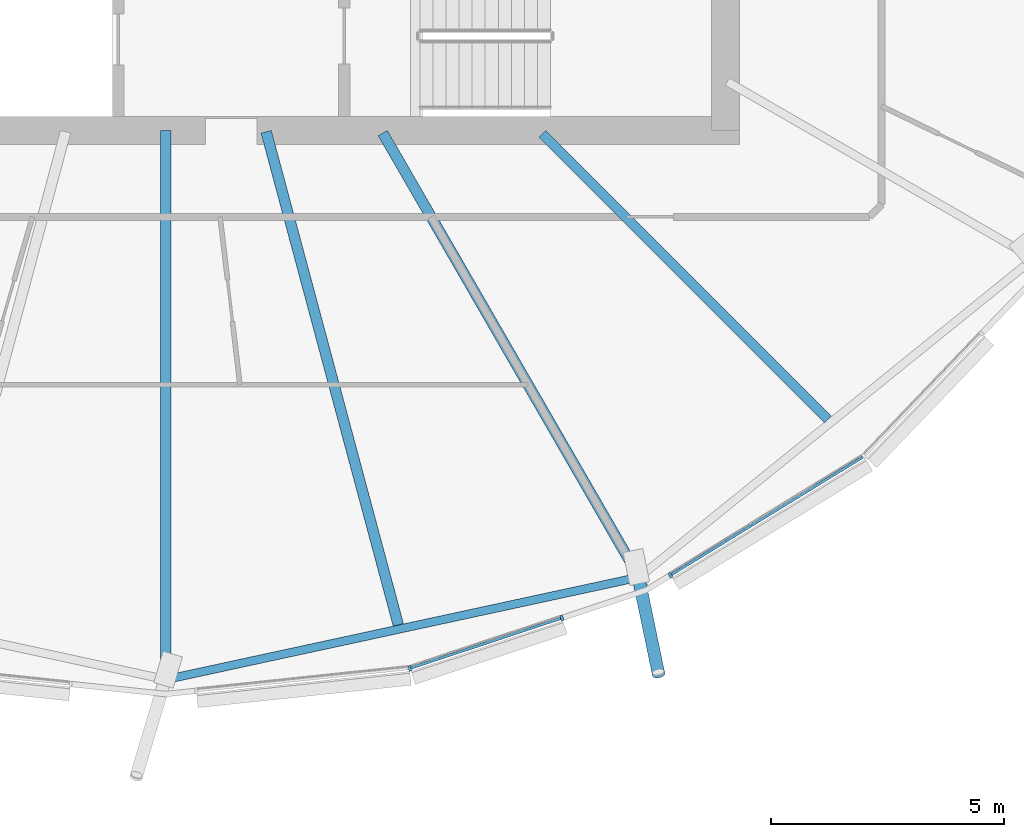
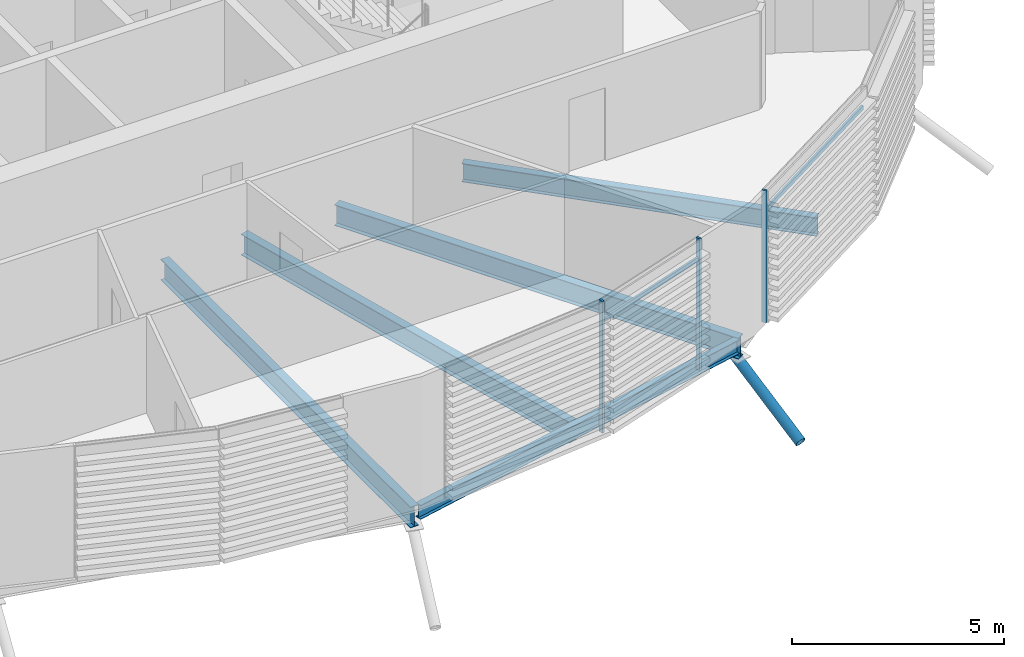
# One storey, part 4 of 37: 6 members, 5 beams, 1 element without a shape of its own.
"""IFC4 building model written with IfcOpenShell, lengths in metres."""

import ifcopenshell
import ifcopenshell.guid

model = None  # the IFC model being written
_history = None  # IfcOwnerHistory: only IFC2X3 demands one
_inside = {}  # id of a spatial element -> (the spatial element, [elements in it])
_under = {}  # id of a project, library or spatial element -> (it, [spatial elements below it])
_declared = {}  # id of a project -> (the project, [libraries it declares])
_typed = {}  # id of a type object -> (the type object, [elements of that type])
_made_of = {}  # id of a material, layer set ... -> (it, [elements and type objects made of it])


def new_model(schema):
    """Start an empty IFC model of exactly this schema.

    Asked for "IFC4X3", IfcOpenShell would pick the latest addendum, in which some entities
    have other attributes; the version numbers below select the first issue.
    IFC2X3 requires an IfcOwnerHistory on every rooted entity: one is made here for all.
    """
    global model, _history
    if schema == "IFC4X3":
        model = ifcopenshell.file(schema_version=(4, 3, 0, 0))
    else:
        model = ifcopenshell.file(schema=schema)
    _inside.clear()
    _under.clear()
    _declared.clear()
    _typed.clear()
    _made_of.clear()
    _history = None
    if model.schema == "IFC2X3":
        org = make("IfcOrganization", Name="unknown")
        user = make(
            "IfcPersonAndOrganization",
            ThePerson=make("IfcPerson", FamilyName="unknown"),
            TheOrganization=org,
        )
        app = make(
            "IfcApplication",
            ApplicationDeveloper=org,
            Version="unknown",
            ApplicationFullName="unknown",
            ApplicationIdentifier="unknown",
        )
        _history = make(
            "IfcOwnerHistory",
            OwningUser=user,
            OwningApplication=app,
            ChangeAction="ADDED",
            CreationDate=0,
        )
    return model


def make(cls, **values):
    """One entity of the class cls with the attributes given. An attribute that is None is left unset."""
    return model.create_entity(
        cls, **{name: value for name, value in values.items() if value is not None}
    )


def rooted(cls, **values):
    """An entity with a GlobalId (a new one), such as an element, a storey or a relation."""
    return make(cls, GlobalId=ifcopenshell.guid.new(), OwnerHistory=_history, **values)


def si_unit(unit_type, name, prefix=None):
    """IfcSIUnit, for example si_unit("LENGTHUNIT", "METRE", prefix="MILLI")."""
    return make("IfcSIUnit", UnitType=unit_type, Prefix=prefix, Name=name)


def assignment(units):
    """IfcUnitAssignment: the units of a project."""
    return None if units is None else make("IfcUnitAssignment", Units=units)


def point(xyz):
    """IfcCartesianPoint."""
    return None if xyz is None else make("IfcCartesianPoint", Coordinates=xyz)


def direction(xyz):
    """IfcDirection."""
    return None if xyz is None else make("IfcDirection", DirectionRatios=xyz)


def frame(location, z_axis=None, x_axis=None):
    """IfcAxis2Placement3D, a coordinate frame: its origin and axes. An axis left out is left unset."""
    return make(
        "IfcAxis2Placement3D",
        Location=point(location),
        Axis=direction(z_axis),
        RefDirection=direction(x_axis),
    )


def frame_2d(location, x_axis=None):
    """IfcAxis2Placement2D, a coordinate frame in the plane: its origin and x axis."""
    return make(
        "IfcAxis2Placement2D", Location=point(location), RefDirection=direction(x_axis)
    )


def origin():
    """The frame at (0, 0, 0) with its axes left unset."""
    return frame((0.0, 0.0, 0.0))


def origin_2d():
    """The frame at (0, 0) in the plane with its x axis left unset."""
    return frame_2d((0.0, 0.0))


def place(relative_to, where):
    """IfcLocalPlacement: puts the frame where relative to a parent placement (None: the world)."""
    return make(
        "IfcLocalPlacement", PlacementRelTo=relative_to, RelativePlacement=where
    )


def context(
    kind, dimensions, precision=None, world=None, true_north=None, identifier=None
):
    """IfcGeometricRepresentationContext, for example the 3D "Model" context."""
    return make(
        "IfcGeometricRepresentationContext",
        ContextIdentifier=identifier,
        ContextType=kind,
        CoordinateSpaceDimension=dimensions,
        Precision=precision,
        WorldCoordinateSystem=world,
        TrueNorth=true_north,
    )


def subcontext(parent, identifier, kind, view, scale=None):
    """IfcGeometricRepresentationSubContext, for example "Body" below "Model"."""
    return make(
        "IfcGeometricRepresentationSubContext",
        ContextIdentifier=identifier,
        ContextType=kind,
        ParentContext=parent,
        TargetScale=scale,
        TargetView=view,
    )


def project(units=None, contexts=None):
    """IfcProject with its units and contexts."""
    return rooted(
        "IfcProject",
        Name="project",
        RepresentationContexts=contexts,
        UnitsInContext=assignment(units),
    )


def spatial(cls, under=None, at=None, **own):
    """A site, building, storey or space (cls), placed at a placement, below another one or the project."""
    s = rooted(cls, ObjectPlacement=at, **own)
    if under is not None:
        _under.setdefault(under.id(), (under, []))[1].append(s)
    return s


def profile(cls, at=None, kind="AREA", **sizes):
    """A parametric profile (cls). Its sizes go by their IFC names, for example OverallWidth=200.0."""
    return make(cls, ProfileType=kind, Position=at, **sizes)


def rectangle(**sizes):
    """IfcRectangleProfileDef."""
    return profile("IfcRectangleProfileDef", **sizes)


def hollow_circle(**sizes):
    """IfcCircleHollowProfileDef."""
    return profile("IfcCircleHollowProfileDef", **sizes)


def i_section(**sizes):
    """IfcIShapeProfileDef."""
    return profile("IfcIShapeProfileDef", **sizes)


def extrude(swept, where, along, depth):
    """IfcExtrudedAreaSolid: the profile swept, set in the frame where, extruded along a direction by depth."""
    return make(
        "IfcExtrudedAreaSolid",
        SweptArea=swept,
        Position=where,
        ExtrudedDirection=direction(along),
        Depth=depth,
    )


def clip(a, b, op="DIFFERENCE"):
    """IfcBooleanClippingResult: the solid a cut by the half space b."""
    return make(
        "IfcBooleanClippingResult", Operator=op, FirstOperand=a, SecondOperand=b
    )


def halfspace(plane, agree):
    """IfcHalfSpaceSolid: all space on one side of the plane z = 0 of the frame plane."""
    return make(
        "IfcHalfSpaceSolid",
        BaseSurface=make("IfcPlane", Position=plane),
        AgreementFlag=agree,
    )


def shape(context_of_items, identifier, shape_type, items):
    """IfcShapeRepresentation: the items that make up one representation, for example the "Body"."""
    return make(
        "IfcShapeRepresentation",
        ContextOfItems=context_of_items,
        RepresentationIdentifier=identifier,
        RepresentationType=shape_type,
        Items=items,
    )


def material(Name=None, Category=None):
    """IfcMaterial."""
    return make("IfcMaterial", Name=Name, Category=Category)


def material_profile(
    of_material, cross_section, Name=None, Category=None, Priority=None
):
    """IfcMaterialProfile: a cross section and its material."""
    return make(
        "IfcMaterialProfile",
        Name=Name,
        Material=of_material,
        Profile=cross_section,
        Priority=Priority,
        Category=Category,
    )


def profile_set(profiles, Name=None, composite=None):
    """IfcMaterialProfileSet."""
    return make(
        "IfcMaterialProfileSet",
        Name=Name,
        MaterialProfiles=profiles,
        CompositeProfile=composite,
    )


def made_of(thing, what):
    """Note that an element or type object is made of a material, layer set ...; save() writes the relation."""
    if what is not None:
        _made_of.setdefault(what.id(), (what, []))[1].append(thing)
    return thing


def type_object(cls, material=None, **own):
    """A type object (cls), such as IfcWallType, which elements share."""
    return made_of(rooted(cls, **own), material)


def element(
    cls,
    number,
    at=None,
    inside=None,
    cuts=None,
    type_object=None,
    material=None,
    context=None,
    identifier="Body",
    shape_type=None,
    held_by="IfcProductDefinitionShape",
    body=None,
    shapes=None,
    **own,
):
    """One element of the class cls, such as IfcWall. Its Tag is "e" and its number.

    at: its placement. inside: the storey or other place that contains it. cuts: it is an
    opening in that element (IfcRelVoidsElement). A single representation is given by context,
    identifier, shape_type and body (its items); several are given by shapes. held_by: the class
    of the entity that holds the representations. save() writes the other relations.
    """
    e = rooted(cls, Tag="e%d" % number, ObjectPlacement=at, **own)
    if body is not None:
        shapes = [shape(context, identifier, shape_type, body)]
    if shapes is not None:
        e.Representation = make(held_by, Representations=shapes)
    if inside is not None:
        _inside.setdefault(inside.id(), (inside, []))[1].append(e)
    if cuts is not None:
        rooted(
            "IfcRelVoidsElement", RelatingBuildingElement=cuts, RelatedOpeningElement=e
        )
    if type_object is not None:
        _typed.setdefault(type_object.id(), (type_object, []))[1].append(e)
    return made_of(e, material)


def aggregate(whole, parts):
    """IfcRelAggregates: a whole, such as a stair, and the parts it consists of."""
    return rooted("IfcRelAggregates", RelatingObject=whole, RelatedObjects=parts)


def save(model, path):
    """Write the relations noted so far, then the file.

    IfcRelAggregates (storeys below a building ...), IfcRelContainedInSpatialStructure (elements
    in a storey), IfcRelDefinesByType, IfcRelAssociatesMaterial and IfcRelDeclares: one each for
    every whole, place, type object, material and project.
    """
    for whole, parts in _under.values():
        aggregate(whole, parts)
    for where, things in _inside.values():
        rooted(
            "IfcRelContainedInSpatialStructure",
            RelatedElements=things,
            RelatingStructure=where,
        )
    for kind, things in _typed.values():
        rooted("IfcRelDefinesByType", RelatedObjects=things, RelatingType=kind)
    for what, things in _made_of.values():
        rooted("IfcRelAssociatesMaterial", RelatedObjects=things, RelatingMaterial=what)
    for by, libraries in _declared.values():
        rooted("IfcRelDeclares", RelatingContext=by, RelatedDefinitions=libraries)
    model.write(path)


model = new_model("IFC4")

# Units and contexts
model_context = context("Model", 3, precision=1e-05, world=origin(), true_north=direction((0.0, 1.0)))
body_context = subcontext(model_context, "Body", "Model", "MODEL_VIEW")
ifc_project = project(units=[si_unit("LENGTHUNIT", "METRE"), si_unit("AREAUNIT", "SQUARE_METRE"), si_unit("VOLUMEUNIT", "CUBIC_METRE"), si_unit("PLANEANGLEUNIT", "RADIAN"), si_unit("MASSUNIT", "GRAM", prefix="KILO")], contexts=[model_context])

# Site, building, storey
site_placement = place(None, origin())
site = spatial("IfcSite", under=ifc_project, at=site_placement, CompositionType="ELEMENT")
building_placement = place(site_placement, origin())
building = spatial("IfcBuilding", under=site, at=building_placement, Name="Rimbun Link Towers", CompositionType="ELEMENT")
storey_placement = place(building_placement, frame((0.0, 0.0, 162.699951171875)))
storey = spatial("IfcBuildingStorey", under=building, at=storey_placement, Name="L39", CompositionType="ELEMENT", Elevation=162.699951171875)

# Curtain wall, members
ifc_material_1 = material(Name="Aluminium 6063-T6 and low-iron glass", Category="aluminium")
curtain_wall_type = type_object("IfcCurtainWallType", Name="CW1-Z3 unitised vision wall (zone 3)", PredefinedType="NOTDEFINED", material=ifc_material_1)
curtain_wall_placement = place(storey_placement, origin())
curtain_wall = element("IfcCurtainWall", 1, at=curtain_wall_placement, inside=storey, type_object=curtain_wall_type, Name="CW1 L39 T1", PredefinedType="NOTDEFINED")
ifc_material_2 = material(Name="Aluminium 6063-T6", Category="aluminium")
ifc_material_profile_1 = material_profile(ifc_material_2, rectangle(XDim=0.1201171875, YDim=0.06005859375, at=origin_2d()), Name="MULLION 60X120")
ifc_profile_set_1 = profile_set([ifc_material_profile_1], Name="Aluminium 6063-T6")
member_type_1 = type_object("IfcMemberType", Name="CW1 mullion 60X120", PredefinedType="MULLION", material=ifc_profile_set_1)
member_1_placement = place(storey_placement, frame((-26.51708984375, -19.541015625, 0.0), z_axis=(0.0, 0.0, 1.0), x_axis=(0.210865888506, -0.977515000941, 0.0)))
member_1 = element("IfcMember", 2, at=member_1_placement, type_object=member_type_1, Name="CW1 mullion", PredefinedType="MULLION", context=body_context, shape_type="SweptSolid", body=[
    extrude(rectangle(XDim=0.1201171875, YDim=0.06005859375, at=origin_2d()), origin(), (0.0, 0.0, 1.0), 3.800048828125),
])
member_2_placement = place(storey_placement, frame((-23.254638671875, -18.460205078125, 0.0), z_axis=(0.0, 0.0, 1.0), x_axis=(0.314555722988, -0.949239009489, 0.0)))
member_2 = element("IfcMember", 3, at=member_2_placement, type_object=member_type_1, Name="CW1 mullion", PredefinedType="MULLION", context=body_context, shape_type="SweptSolid", body=[
    extrude(rectangle(XDim=0.1201171875, YDim=0.06005859375, at=origin_2d()), origin(), (0.0, 0.0, 1.0), 3.800048828125),
])
member_3_placement = place(storey_placement, frame((-20.92724609375, -17.542724609375, 0.0), z_axis=(0.0, 0.0, 1.0), x_axis=(0.523249760653, -0.85217937547, 0.0)))
member_3 = element("IfcMember", 4, at=member_3_placement, type_object=member_type_1, Name="CW1 mullion", PredefinedType="MULLION", context=body_context, shape_type="SweptSolid", body=[
    extrude(rectangle(XDim=0.1201171875, YDim=0.06005859375, at=origin_2d()), origin(), (0.0, 0.0, 1.0), 3.800048828125),
])
ifc_material_3 = material(Name="Aluminium 6063-T6", Category="aluminium")
ifc_material_profile_2 = material_profile(ifc_material_3, rectangle(XDim=0.06005859375, YDim=0.1201171875, at=origin_2d()), Name="TRANSOM 60X120")
ifc_profile_set_2 = profile_set([ifc_material_profile_2], Name="Aluminium 6063-T6")
member_type_2 = type_object("IfcMemberType", Name="CW1 transom 60X120", PredefinedType="USERDEFINED", material=ifc_profile_set_2)
member_4_placement = place(storey_placement, frame((-23.28369140625, -18.4677734375, 3.199951171875), z_axis=(-0.949246811547, -0.314532177636, 0.0), x_axis=(0.314532177636, -0.949246811547, 0.0)))
member_4 = element("IfcMember", 5, at=member_4_placement, type_object=member_type_2, Name="CW1 transom", ObjectType="TRANSOM", PredefinedType="USERDEFINED", context=body_context, shape_type="SweptSolid", body=[
    extrude(rectangle(XDim=0.06005859375, YDim=0.1201171875, at=origin_2d()), origin(), (0.0, 0.0, 1.0), 3.370361328125),
])
member_5_placement = place(storey_placement, frame((-16.802490234375, -15.0078125, 3.199951171875), z_axis=(-0.852173607466, -0.523259154471, 0.0), x_axis=(0.523259154471, -0.852173607466, 0.0)))
member_5 = element("IfcMember", 6, at=member_5_placement, type_object=member_type_2, Name="CW1 transom", ObjectType="TRANSOM", PredefinedType="USERDEFINED", context=body_context, shape_type="SweptSolid", body=[
    extrude(rectangle(XDim=0.06005859375, YDim=0.1201171875, at=origin_2d()), origin(), (0.0, 0.0, 1.0), 4.811279296875),
])
aggregate(curtain_wall, [member_1, member_2, member_3, member_4, member_5])

# Member
ifc_material_4 = material(Name="Steel S355J2H", Category="steel")
ifc_material_profile_3 = material_profile(ifc_material_4, hollow_circle(Radius=0.136474609375, WallThickness=0.012451171875, at=origin_2d()), Name="CHS 273x12.5")
ifc_profile_set_3 = profile_set([ifc_material_profile_3], Name="Steel S355J2H")
member_type_3 = type_object("IfcMemberType", Name="Floor edge link CHS 273x12.5", PredefinedType="BRACE", material=ifc_profile_set_3)
member_6_placement = place(storey_placement, frame((-21.62255859375, -17.541259765625, -0.871337890625), z_axis=(0.178131604454, -0.855991398862, -0.485332727692), x_axis=(0.979026054032, 0.203735086636, 0.0)))
element("IfcMember", 7, at=member_6_placement, inside=storey, type_object=member_type_3, Name="Floor edge link T1 L39 20", PredefinedType="BRACE", context=body_context, shape_type="Clipping", body=[
    clip(extrude(hollow_circle(Radius=0.136474609375, WallThickness=0.012451171875, at=origin_2d()), frame((0.0, 0.0, -0.512451171875)), (0.0, 0.0, 1.0), 3.005615234375), halfspace(frame((0.0, 0.0, -0.24072265625), z_axis=(0.0, 0.874329539379, -0.485332727692)), False)),
])

# Beams
ifc_material_5 = material(Name="Steel S355J2", Category="steel")
ifc_material_profile_4 = material_profile(ifc_material_5, i_section(OverallWidth=0.177978515625, OverallDepth=0.406494140625, WebThickness=0.0078125, FlangeThickness=0.0126953125, at=origin_2d()), Name="UB 406x178x60")
ifc_profile_set_4 = profile_set([ifc_material_profile_4], Name="Steel S355J2")
beam_type_1 = type_object("IfcBeamType", Name="UB 406x178x60", PredefinedType="BEAM", material=ifc_profile_set_4)
beam_1_placement = place(storey_placement, frame((-31.63525390625, -19.755859375, -0.353271484375), z_axis=(0.977395763905, 0.211417881693, 0.0), x_axis=(-0.211417881693, 0.977395763905, 0.0)))
element("IfcBeam", 8, at=beam_1_placement, inside=storey, type_object=beam_type_1, Name="Edge beam T1 L39 18-20", PredefinedType="BEAM", context=body_context, shape_type="SweptSolid", body=[
    extrude(i_section(OverallWidth=0.177978515625, OverallDepth=0.406494140625, WebThickness=0.0078125, FlangeThickness=0.0126953125, at=origin_2d()), origin(), (0.0, 0.0, 1.0), 10.1494140625),
])
ifc_material_6 = material(Name="Steel S355J2", Category="steel")
ifc_material_profile_5 = material_profile(ifc_material_6, i_section(OverallWidth=0.209228515625, OverallDepth=0.533203125, WebThickness=0.010009765625, FlangeThickness=0.015625, at=origin_2d()), Name="UB 533x210x92")
ifc_profile_set_5 = profile_set([ifc_material_profile_5], Name="Steel S355J2")
beam_type_2 = type_object("IfcBeamType", Name="UB 533x210x92", PredefinedType="BEAM", material=ifc_profile_set_5)
beam_2_placement = place(storey_placement, frame((-23.67529296875, -8.07470703125, -0.41650390625), z_axis=(0.707106781187, -0.707106781187, 0.0), x_axis=(0.707106781187, 0.707106781187, 0.0)))
element("IfcBeam", 9, at=beam_2_placement, inside=storey, type_object=beam_type_2, Name="Radial beam T1 L39 21", PredefinedType="BEAM", context=body_context, shape_type="SweptSolid", body=[
    extrude(i_section(OverallWidth=0.209228515625, OverallDepth=0.533203125, WebThickness=0.010009765625, FlangeThickness=0.015625, at=origin_2d()), origin(), (0.0, 0.0, 1.0), 8.662841796875),
])
ifc_material_7 = material(Name="Steel S355J2", Category="steel")
ifc_material_profile_6 = material_profile(ifc_material_7, i_section(OverallWidth=0.2275390625, OverallDepth=0.6025390625, WebThickness=0.010498046875, FlangeThickness=0.014892578125, at=origin_2d()), Name="UB 610x229x101")
ifc_profile_set_6 = profile_set([ifc_material_profile_6], Name="Steel S355J2")
beam_type_3 = type_object("IfcBeamType", Name="UB 610x229x101", PredefinedType="BEAM", material=ifc_profile_set_6)
beam_3_placement = place(storey_placement, frame((-31.75, -8.0009765625, -0.451171875), z_axis=(0.0, -1.0, 0.0), x_axis=(1.0, 0.0, 0.0)))
element("IfcBeam", 10, at=beam_3_placement, inside=storey, type_object=beam_type_3, Name="Radial beam T1 L39 18", PredefinedType="BEAM", context=body_context, shape_type="SweptSolid", body=[
    extrude(i_section(OverallWidth=0.2275390625, OverallDepth=0.6025390625, WebThickness=0.010498046875, FlangeThickness=0.014892578125, at=origin_2d()), origin(), (0.0, 0.0, 1.0), 11.77978515625),
])
beam_4_placement = place(storey_placement, frame((-29.598388671875, -8.030517578125, -0.451171875), z_axis=(0.258833388669, -0.965921982828, 0.0), x_axis=(0.965921982828, 0.258833388669, 0.0)))
element("IfcBeam", 11, at=beam_4_placement, inside=storey, type_object=beam_type_3, Name="Radial beam T1 L39 19", PredefinedType="BEAM", context=body_context, shape_type="SweptSolid", body=[
    extrude(i_section(OverallWidth=0.2275390625, OverallDepth=0.6025390625, WebThickness=0.010498046875, FlangeThickness=0.014892578125, at=origin_2d()), origin(), (0.0, 0.0, 1.0), 10.952880859375),
])
beam_5_placement = place(storey_placement, frame((-27.097900390625, -8.057861328125, -0.451171875), z_axis=(0.500003581172, -0.866023336184, 0.0), x_axis=(0.866023336184, 0.500003581172, 0.0)))
element("IfcBeam", 12, at=beam_5_placement, inside=storey, type_object=beam_type_3, Name="Radial beam T1 L39 20", PredefinedType="BEAM", context=body_context, shape_type="SweptSolid", body=[
    extrude(i_section(OverallWidth=0.2275390625, OverallDepth=0.6025390625, WebThickness=0.010498046875, FlangeThickness=0.014892578125, at=origin_2d()), origin(), (0.0, 0.0, 1.0), 11.00048828125),
])

save(model, "model.ifc")
